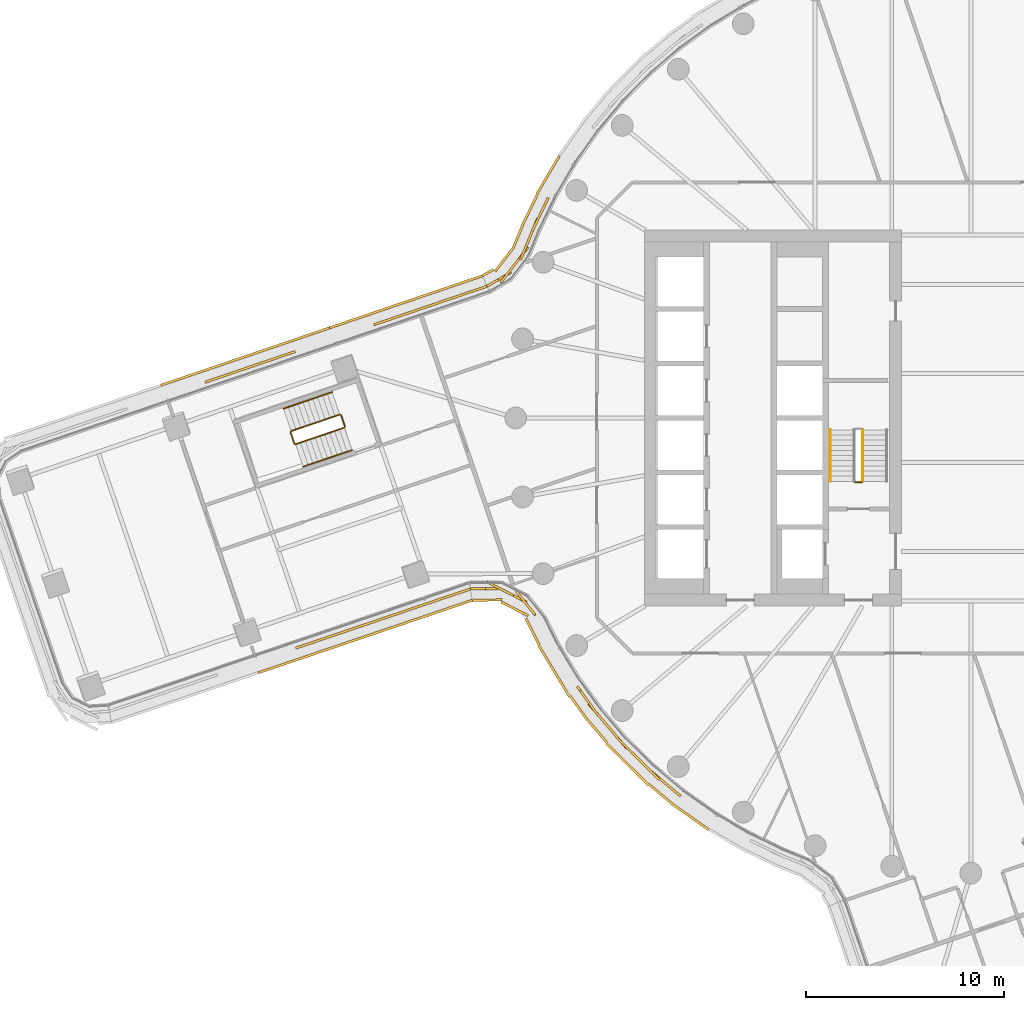
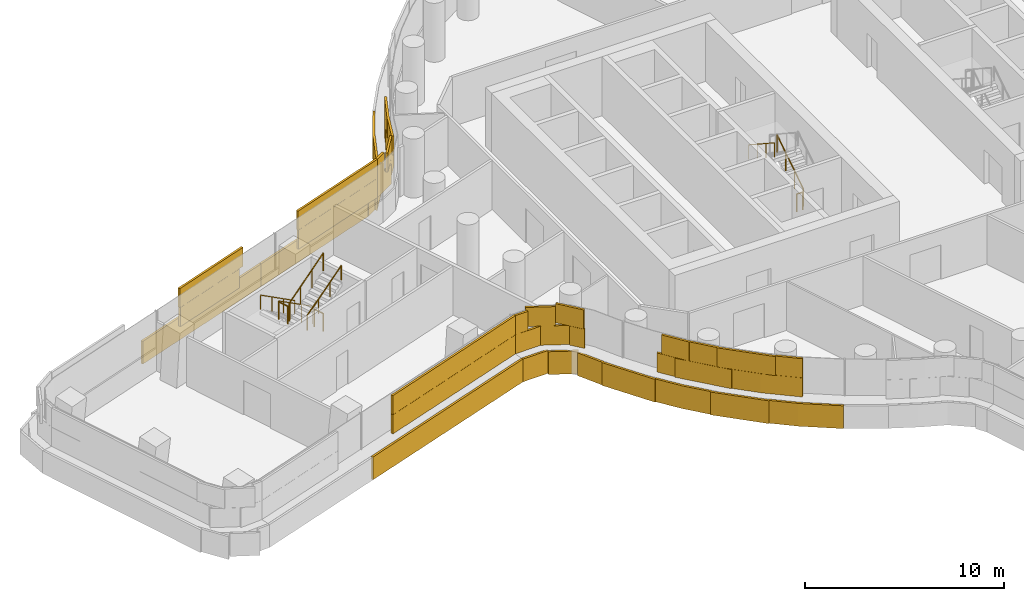
# One storey, part 25 of 29: 9 railings, 5 coverings.
"""IFC4 building model written with IfcOpenShell, lengths in metres."""

import ifcopenshell
import ifcopenshell.guid

model = None  # the IFC model being written
_history = None  # IfcOwnerHistory: only IFC2X3 demands one
_inside = {}  # id of a spatial element -> (the spatial element, [elements in it])
_under = {}  # id of a project, library or spatial element -> (it, [spatial elements below it])
_declared = {}  # id of a project -> (the project, [libraries it declares])
_typed = {}  # id of a type object -> (the type object, [elements of that type])
_made_of = {}  # id of a material, layer set ... -> (it, [elements and type objects made of it])


def new_model(schema):
    """Start an empty IFC model of exactly this schema.

    Asked for "IFC4X3", IfcOpenShell would pick the latest addendum, in which some entities
    have other attributes; the version numbers below select the first issue.
    IFC2X3 requires an IfcOwnerHistory on every rooted entity: one is made here for all.
    """
    global model, _history
    if schema == "IFC4X3":
        model = ifcopenshell.file(schema_version=(4, 3, 0, 0))
    else:
        model = ifcopenshell.file(schema=schema)
    _inside.clear()
    _under.clear()
    _declared.clear()
    _typed.clear()
    _made_of.clear()
    _history = None
    if model.schema == "IFC2X3":
        org = make("IfcOrganization", Name="unknown")
        user = make(
            "IfcPersonAndOrganization",
            ThePerson=make("IfcPerson", FamilyName="unknown"),
            TheOrganization=org,
        )
        app = make(
            "IfcApplication",
            ApplicationDeveloper=org,
            Version="unknown",
            ApplicationFullName="unknown",
            ApplicationIdentifier="unknown",
        )
        _history = make(
            "IfcOwnerHistory",
            OwningUser=user,
            OwningApplication=app,
            ChangeAction="ADDED",
            CreationDate=0,
        )
    return model


def make(cls, **values):
    """One entity of the class cls with the attributes given. An attribute that is None is left unset."""
    return model.create_entity(
        cls, **{name: value for name, value in values.items() if value is not None}
    )


def rooted(cls, **values):
    """An entity with a GlobalId (a new one), such as an element, a storey or a relation."""
    return make(cls, GlobalId=ifcopenshell.guid.new(), OwnerHistory=_history, **values)


def si_unit(unit_type, name, prefix=None):
    """IfcSIUnit, for example si_unit("LENGTHUNIT", "METRE", prefix="MILLI")."""
    return make("IfcSIUnit", UnitType=unit_type, Prefix=prefix, Name=name)


def assignment(units):
    """IfcUnitAssignment: the units of a project."""
    return None if units is None else make("IfcUnitAssignment", Units=units)


def point(xyz):
    """IfcCartesianPoint."""
    return None if xyz is None else make("IfcCartesianPoint", Coordinates=xyz)


def direction(xyz):
    """IfcDirection."""
    return None if xyz is None else make("IfcDirection", DirectionRatios=xyz)


def frame(location, z_axis=None, x_axis=None):
    """IfcAxis2Placement3D, a coordinate frame: its origin and axes. An axis left out is left unset."""
    return make(
        "IfcAxis2Placement3D",
        Location=point(location),
        Axis=direction(z_axis),
        RefDirection=direction(x_axis),
    )


def frame_2d(location, x_axis=None):
    """IfcAxis2Placement2D, a coordinate frame in the plane: its origin and x axis."""
    return make(
        "IfcAxis2Placement2D", Location=point(location), RefDirection=direction(x_axis)
    )


def origin():
    """The frame at (0, 0, 0) with its axes left unset."""
    return frame((0.0, 0.0, 0.0))


def origin_2d():
    """The frame at (0, 0) in the plane with its x axis left unset."""
    return frame_2d((0.0, 0.0))


def place(relative_to, where):
    """IfcLocalPlacement: puts the frame where relative to a parent placement (None: the world)."""
    return make(
        "IfcLocalPlacement", PlacementRelTo=relative_to, RelativePlacement=where
    )


def context(
    kind, dimensions, precision=None, world=None, true_north=None, identifier=None
):
    """IfcGeometricRepresentationContext, for example the 3D "Model" context."""
    return make(
        "IfcGeometricRepresentationContext",
        ContextIdentifier=identifier,
        ContextType=kind,
        CoordinateSpaceDimension=dimensions,
        Precision=precision,
        WorldCoordinateSystem=world,
        TrueNorth=true_north,
    )


def subcontext(parent, identifier, kind, view, scale=None):
    """IfcGeometricRepresentationSubContext, for example "Body" below "Model"."""
    return make(
        "IfcGeometricRepresentationSubContext",
        ContextIdentifier=identifier,
        ContextType=kind,
        ParentContext=parent,
        TargetScale=scale,
        TargetView=view,
    )


def project(units=None, contexts=None):
    """IfcProject with its units and contexts."""
    return rooted(
        "IfcProject",
        Name="project",
        RepresentationContexts=contexts,
        UnitsInContext=assignment(units),
    )


def spatial(cls, under=None, at=None, **own):
    """A site, building, storey or space (cls), placed at a placement, below another one or the project."""
    s = rooted(cls, ObjectPlacement=at, **own)
    if under is not None:
        _under.setdefault(under.id(), (under, []))[1].append(s)
    return s


def profile(cls, at=None, kind="AREA", **sizes):
    """A parametric profile (cls). Its sizes go by their IFC names, for example OverallWidth=200.0."""
    return make(cls, ProfileType=kind, Position=at, **sizes)


def rectangle(**sizes):
    """IfcRectangleProfileDef."""
    return profile("IfcRectangleProfileDef", **sizes)


def circle(**sizes):
    """IfcCircleProfileDef."""
    return profile("IfcCircleProfileDef", **sizes)


def extrude(swept, where, along, depth):
    """IfcExtrudedAreaSolid: the profile swept, set in the frame where, extruded along a direction by depth."""
    return make(
        "IfcExtrudedAreaSolid",
        SweptArea=swept,
        Position=where,
        ExtrudedDirection=direction(along),
        Depth=depth,
    )


def shape(context_of_items, identifier, shape_type, items):
    """IfcShapeRepresentation: the items that make up one representation, for example the "Body"."""
    return make(
        "IfcShapeRepresentation",
        ContextOfItems=context_of_items,
        RepresentationIdentifier=identifier,
        RepresentationType=shape_type,
        Items=items,
    )


def material(Name=None, Category=None):
    """IfcMaterial."""
    return make("IfcMaterial", Name=Name, Category=Category)


def layer(
    of_material, thickness, ventilated=None, Name=None, Category=None, Priority=None
):
    """IfcMaterialLayer: one layer of a wall or slab, of a material (None: an air gap)."""
    return make(
        "IfcMaterialLayer",
        Material=of_material,
        LayerThickness=thickness,
        IsVentilated=ventilated,
        Name=Name,
        Category=Category,
        Priority=Priority,
    )


def layer_set(layers, Name=None):
    """IfcMaterialLayerSet."""
    return make("IfcMaterialLayerSet", MaterialLayers=layers, LayerSetName=Name)


def made_of(thing, what):
    """Note that an element or type object is made of a material, layer set ...; save() writes the relation."""
    if what is not None:
        _made_of.setdefault(what.id(), (what, []))[1].append(thing)
    return thing


def type_object(cls, material=None, **own):
    """A type object (cls), such as IfcWallType, which elements share."""
    return made_of(rooted(cls, **own), material)


def element(
    cls,
    number,
    at=None,
    inside=None,
    cuts=None,
    type_object=None,
    material=None,
    context=None,
    identifier="Body",
    shape_type=None,
    held_by="IfcProductDefinitionShape",
    body=None,
    shapes=None,
    **own,
):
    """One element of the class cls, such as IfcWall. Its Tag is "e" and its number.

    at: its placement. inside: the storey or other place that contains it. cuts: it is an
    opening in that element (IfcRelVoidsElement). A single representation is given by context,
    identifier, shape_type and body (its items); several are given by shapes. held_by: the class
    of the entity that holds the representations. save() writes the other relations.
    """
    e = rooted(cls, Tag="e%d" % number, ObjectPlacement=at, **own)
    if body is not None:
        shapes = [shape(context, identifier, shape_type, body)]
    if shapes is not None:
        e.Representation = make(held_by, Representations=shapes)
    if inside is not None:
        _inside.setdefault(inside.id(), (inside, []))[1].append(e)
    if cuts is not None:
        rooted(
            "IfcRelVoidsElement", RelatingBuildingElement=cuts, RelatedOpeningElement=e
        )
    if type_object is not None:
        _typed.setdefault(type_object.id(), (type_object, []))[1].append(e)
    return made_of(e, material)


def aggregate(whole, parts):
    """IfcRelAggregates: a whole, such as a stair, and the parts it consists of."""
    return rooted("IfcRelAggregates", RelatingObject=whole, RelatedObjects=parts)


def save(model, path):
    """Write the relations noted so far, then the file.

    IfcRelAggregates (storeys below a building ...), IfcRelContainedInSpatialStructure (elements
    in a storey), IfcRelDefinesByType, IfcRelAssociatesMaterial and IfcRelDeclares: one each for
    every whole, place, type object, material and project.
    """
    for whole, parts in _under.values():
        aggregate(whole, parts)
    for where, things in _inside.values():
        rooted(
            "IfcRelContainedInSpatialStructure",
            RelatedElements=things,
            RelatingStructure=where,
        )
    for kind, things in _typed.values():
        rooted("IfcRelDefinesByType", RelatedObjects=things, RelatingType=kind)
    for what, things in _made_of.values():
        rooted("IfcRelAssociatesMaterial", RelatedObjects=things, RelatingMaterial=what)
    for by, libraries in _declared.values():
        rooted("IfcRelDeclares", RelatingContext=by, RelatedDefinitions=libraries)
    model.write(path)


model = new_model("IFC4")

# Units and contexts
model_context = context("Model", 3, precision=1e-05, world=origin(), true_north=direction((0.0, 1.0)))
body_context = subcontext(model_context, "Body", "Model", "MODEL_VIEW")
ifc_project = project(units=[si_unit("LENGTHUNIT", "METRE"), si_unit("AREAUNIT", "SQUARE_METRE"), si_unit("VOLUMEUNIT", "CUBIC_METRE"), si_unit("PLANEANGLEUNIT", "RADIAN"), si_unit("MASSUNIT", "GRAM", prefix="KILO")], contexts=[model_context])

# Site, building, storey
site_placement = place(None, origin())
site = spatial("IfcSite", under=ifc_project, at=site_placement, CompositionType="ELEMENT")
building_placement = place(site_placement, origin())
building = spatial("IfcBuilding", under=site, at=building_placement, Name="Tamarind Cross Interchange Tower", CompositionType="ELEMENT")
storey_placement = place(building_placement, frame((0.0, 0.0, 102.25)))
storey = spatial("IfcBuildingStorey", under=building, at=storey_placement, Name="L24", CompositionType="ELEMENT", Elevation=102.25)

# Railings
ifc_material_1 = material(Name="Stair guard")
railing_type_1 = type_object("IfcRailingType", Name="Stair guard", PredefinedType="GUARDRAIL", material=ifc_material_1)
railing_1_placement = place(storey_placement, frame((-5.449951171875, -3.199951171875, 0.17041015625)))
element("IfcRailing", 1, at=railing_1_placement, inside=storey, type_object=railing_type_1, Name="L24 ST1 stair guard 1", PredefinedType="GUARDRAIL", context=body_context, shape_type="SweptSolid", body=[
    extrude(circle(Radius=0.02392578125, at=origin_2d()), frame((0.0, 0.0, 1.076171875), z_axis=(0.0, 0.836278606002, 0.548304744775), x_axis=(-1.0, 0.0, 0.0)), (0.0, 0.0, 1.0), 3.10888671875),
    extrude(circle(Radius=0.02099609375, at=origin_2d()), origin(), (0.0, 0.0, 1.0), 1.052001953125),
    extrude(circle(Radius=0.02099609375, at=origin_2d()), frame((0.0, 0.86669921875, 0.568115234375)), (0.0, 0.0, 1.0), 1.052001953125),
    extrude(circle(Radius=0.02099609375, at=origin_2d()), frame((0.0, 1.733154296875, 1.136474609375)), (0.0, 0.0, 1.0), 1.052001953125),
    extrude(circle(Radius=0.02099609375, at=origin_2d()), frame((0.0, 2.599853515625, 1.70458984375)), (0.0, 0.0, 1.0), 1.052001953125),
])
railing_2_placement = place(storey_placement, frame((-5.5, -3.25, 0.0)))
element("IfcRailing", 2, at=railing_2_placement, inside=storey, type_object=railing_type_1, Name="L24 ST1 stair guard 4", PredefinedType="GUARDRAIL", context=body_context, shape_type="SweptSolid", body=[
    extrude(circle(Radius=0.02392578125, at=origin_2d()), frame((0.0, 0.0, 1.076171875), z_axis=(-1.0, 0.0, 0.0), x_axis=(0.0, -1.0, 0.0)), (0.0, 0.0, 1.0), 0.35009765625),
    extrude(circle(Radius=0.02099609375, at=origin_2d()), origin(), (0.0, 0.0, 1.0), 1.052001953125),
    extrude(circle(Radius=0.02099609375, at=origin_2d()), frame((-0.35009765625, 0.0, 0.0)), (0.0, 0.0, 1.0), 1.052001953125),
])
railing_3_placement = place(storey_placement, frame((-31.883544921875, 0.173095703125, 0.17041015625)))
element("IfcRailing", 3, at=railing_3_placement, inside=storey, type_object=railing_type_1, Name="L24 ST5 stair guard 1", PredefinedType="GUARDRAIL", context=body_context, shape_type="SweptSolid", body=[
    extrude(circle(Radius=0.02392578125, at=origin_2d()), frame((0.0, 0.0, 1.076171875), z_axis=(-0.791646408968, -0.269588544984, 0.548286402878), x_axis=(0.322362268348, -0.946616378448, 0.0)), (0.0, 0.0, 1.0), 3.10888671875),
    extrude(circle(Radius=0.02099609375, at=origin_2d()), origin(), (0.0, 0.0, 1.0), 1.052001953125),
    extrude(circle(Radius=0.02099609375, at=origin_2d()), frame((-0.8203125, -0.279296875, 0.568115234375)), (0.0, 0.0, 1.0), 1.052001953125),
    extrude(circle(Radius=0.02099609375, at=origin_2d()), frame((-1.640869140625, -0.558837890625, 1.136474609375)), (0.0, 0.0, 1.0), 1.052001953125),
    extrude(circle(Radius=0.02099609375, at=origin_2d()), frame((-2.461181640625, -0.838134765625, 1.70458984375)), (0.0, 0.0, 1.0), 1.052001953125),
])
railing_4_placement = place(storey_placement, frame((-34.375732421875, -0.728515625, 1.875)))
element("IfcRailing", 4, at=railing_4_placement, inside=storey, type_object=railing_type_1, Name="L24 ST5 stair guard 2", PredefinedType="GUARDRAIL", context=body_context, shape_type="SweptSolid", body=[
    extrude(circle(Radius=0.02392578125, at=origin_2d()), frame((0.0, 0.0, 1.076171875), z_axis=(0.322325875568, -0.946628770923, 0.0), x_axis=(0.946628770923, 0.322325875568, 0.0)), (0.0, 0.0, 1.0), 0.599853515625),
    extrude(circle(Radius=0.02099609375, at=origin_2d()), origin(), (0.0, 0.0, 1.0), 1.052001953125),
    extrude(circle(Radius=0.02099609375, at=origin_2d()), frame((0.193359375, -0.56787109375, 0.0)), (0.0, 0.0, 1.0), 1.052001953125),
])
railing_5_placement = place(storey_placement, frame((-34.118896484375, -1.32763671875, 2.04541015625)))
element("IfcRailing", 5, at=railing_5_placement, inside=storey, type_object=railing_type_1, Name="L24 ST5 stair guard 3", PredefinedType="GUARDRAIL", context=body_context, shape_type="SweptSolid", body=[
    extrude(circle(Radius=0.02392578125, at=origin_2d()), frame((0.0, 0.0, 1.076171875), z_axis=(0.791646408968, 0.269588544984, 0.548286402878), x_axis=(-0.322362268348, 0.946616378448, 0.0)), (0.0, 0.0, 1.0), 3.10888671875),
    extrude(circle(Radius=0.02099609375, at=origin_2d()), origin(), (0.0, 0.0, 1.0), 1.052001953125),
    extrude(circle(Radius=0.02099609375, at=origin_2d()), frame((0.8203125, 0.279296875, 0.568115234375)), (0.0, 0.0, 1.0), 1.052001953125),
    extrude(circle(Radius=0.02099609375, at=origin_2d()), frame((1.640869140625, 0.558837890625, 1.136474609375)), (0.0, 0.0, 1.0), 1.052001953125),
    extrude(circle(Radius=0.02099609375, at=origin_2d()), frame((2.461181640625, 0.838134765625, 1.70458984375)), (0.0, 0.0, 1.0), 1.052001953125),
])
railing_6_placement = place(storey_placement, frame((-31.820068359375, 0.141845703125, 0.0)))
element("IfcRailing", 6, at=railing_6_placement, inside=storey, type_object=railing_type_1, Name="L24 ST5 stair guard 4", PredefinedType="GUARDRAIL", context=body_context, shape_type="SweptSolid", body=[
    extrude(circle(Radius=0.02392578125, at=origin_2d()), frame((0.0, 0.0, 1.076171875), z_axis=(0.32269049844, -0.946504538931, 0.0), x_axis=(0.946504538931, 0.32269049844, 0.0)), (0.0, 0.0, 1.0), 0.599853515625),
    extrude(circle(Radius=0.02099609375, at=origin_2d()), origin(), (0.0, 0.0, 1.0), 1.052001953125),
    extrude(circle(Radius=0.02099609375, at=origin_2d()), frame((0.193603515625, -0.56787109375, 0.0)), (0.0, 0.0, 1.0), 1.052001953125),
])
ifc_material_2 = material(Name="Stair handrail")
railing_type_2 = type_object("IfcRailingType", Name="Stair handrail", PredefinedType="HANDRAIL", material=ifc_material_2)
railing_7_placement = place(storey_placement, frame((-7.10009765625, -0.60009765625, 2.04541015625)))
element("IfcRailing", 7, at=railing_7_placement, inside=storey, type_object=railing_type_2, Name="L24 ST1 stair handrail 2", PredefinedType="HANDRAIL", context=body_context, shape_type="SweptSolid", body=[
    extrude(circle(Radius=0.02392578125, at=origin_2d()), frame((0.0, 0.0, 0.8759765625), z_axis=(0.0, -0.836278606002, 0.548304744775), x_axis=(1.0, 0.0, 0.0)), (0.0, 0.0, 1.0), 3.10888671875),
    extrude(circle(Radius=0.02099609375, at=origin_2d()), origin(), (0.0, 0.0, 1.0), 0.851806640625),
    extrude(circle(Radius=0.02099609375, at=origin_2d()), frame((0.0, -0.86669921875, 0.568115234375)), (0.0, 0.0, 1.0), 0.851806640625),
    extrude(circle(Radius=0.02099609375, at=origin_2d()), frame((0.0, -1.733154296875, 1.136474609375)), (0.0, 0.0, 1.0), 0.851806640625),
    extrude(circle(Radius=0.02099609375, at=origin_2d()), frame((0.0, -2.599853515625, 1.70458984375)), (0.0, 0.0, 1.0), 0.851806640625),
])
railing_8_placement = place(storey_placement, frame((-32.270263671875, 1.30908203125, 0.17041015625)))
element("IfcRailing", 8, at=railing_8_placement, inside=storey, type_object=railing_type_2, Name="L24 ST5 stair handrail 1", PredefinedType="HANDRAIL", context=body_context, shape_type="SweptSolid", body=[
    extrude(circle(Radius=0.02392578125, at=origin_2d()), frame((0.0, 0.0, 0.8759765625), z_axis=(-0.791646408968, -0.269588544984, 0.548286402878), x_axis=(0.322362268348, -0.946616378448, 0.0)), (0.0, 0.0, 1.0), 3.10888671875),
    extrude(circle(Radius=0.02099609375, at=origin_2d()), origin(), (0.0, 0.0, 1.0), 0.851806640625),
    extrude(circle(Radius=0.02099609375, at=origin_2d()), frame((-0.8203125, -0.279296875, 0.568115234375)), (0.0, 0.0, 1.0), 0.851806640625),
    extrude(circle(Radius=0.02099609375, at=origin_2d()), frame((-1.640869140625, -0.558837890625, 1.136474609375)), (0.0, 0.0, 1.0), 0.851806640625),
    extrude(circle(Radius=0.02099609375, at=origin_2d()), frame((-2.461181640625, -0.838134765625, 1.70458984375)), (0.0, 0.0, 1.0), 0.851806640625),
])
railing_9_placement = place(storey_placement, frame((-33.732177734375, -2.463623046875, 2.04541015625)))
element("IfcRailing", 9, at=railing_9_placement, inside=storey, type_object=railing_type_2, Name="L24 ST5 stair handrail 2", PredefinedType="HANDRAIL", context=body_context, shape_type="SweptSolid", body=[
    extrude(circle(Radius=0.02392578125, at=origin_2d()), frame((0.0, 0.0, 0.8759765625), z_axis=(0.791646408968, 0.269588544984, 0.548286402878), x_axis=(-0.322362268348, 0.946616378448, 0.0)), (0.0, 0.0, 1.0), 3.10888671875),
    extrude(circle(Radius=0.02099609375, at=origin_2d()), origin(), (0.0, 0.0, 1.0), 0.851806640625),
    extrude(circle(Radius=0.02099609375, at=origin_2d()), frame((0.8203125, 0.279296875, 0.568115234375)), (0.0, 0.0, 1.0), 0.851806640625),
    extrude(circle(Radius=0.02099609375, at=origin_2d()), frame((1.640869140625, 0.558837890625, 1.136474609375)), (0.0, 0.0, 1.0), 0.851806640625),
    extrude(circle(Radius=0.02099609375, at=origin_2d()), frame((2.461181640625, 0.838134765625, 1.70458984375)), (0.0, 0.0, 1.0), 0.851806640625),
])

# Coverings
ifc_material_3 = material(Name="Terracotta", Category="masonry")
ifc_layer = layer(ifc_material_3, 0.1201171875)
ifc_layer_set = layer_set([ifc_layer], Name="Terracotta")
covering_type = type_object("IfcCoveringType", Name="Terracotta baguette screen unit", PredefinedType="MOLDING", material=ifc_layer_set)
covering_1_placement = place(storey_placement, origin())
element("IfcCovering", 10, at=covering_1_placement, inside=storey, type_object=covering_type, Name="SCR-L24-01-01", PredefinedType="MOLDING", context=body_context, shape_type="SweptSolid", body=[
    extrude(rectangle(XDim=0.5634765625, YDim=0.1201171875, at=origin_2d()), frame((-33.848388671875, -11.541015625, 1.404052734375), z_axis=(0.0, 0.0, 1.0), x_axis=(0.947092988773, 0.320959297445, 0.0)), (0.0, 0.0, 1.0), 1.1669921875),
    extrude(rectangle(XDim=1.52001953125, YDim=0.1201171875, at=origin_2d()), frame((-32.8759765625, -11.21142578125, 1.404052734375), z_axis=(0.0, 0.0, 1.0), x_axis=(0.947092988773, 0.320959297445, 0.0)), (0.0, 0.0, 1.0), 1.1669921875),
    extrude(rectangle(XDim=1.52001953125, YDim=0.1201171875, at=origin_2d()), frame((-31.455322265625, -10.72998046875, 1.404052734375), z_axis=(0.0, 0.0, 1.0), x_axis=(0.947092988773, 0.320959297445, 0.0)), (0.0, 0.0, 1.0), 1.1669921875),
    extrude(rectangle(XDim=1.52001953125, YDim=0.1201171875, at=origin_2d()), frame((-30.03466796875, -10.24853515625, 1.404052734375), z_axis=(0.0, 0.0, 1.0), x_axis=(0.947092988773, 0.320959297445, 0.0)), (0.0, 0.0, 1.0), 1.1669921875),
    extrude(rectangle(XDim=1.52001953125, YDim=0.1201171875, at=origin_2d()), frame((-28.614013671875, -9.76708984375, 1.404052734375), z_axis=(0.0, 0.0, 1.0), x_axis=(0.947092988773, 0.320959297445, 0.0)), (0.0, 0.0, 1.0), 1.1669921875),
    extrude(rectangle(XDim=1.52001953125, YDim=0.1201171875, at=origin_2d()), frame((-27.193359375, -9.28564453125, 1.404052734375), z_axis=(0.0, 0.0, 1.0), x_axis=(0.947092988773, 0.320959297445, 0.0)), (0.0, 0.0, 1.0), 1.1669921875),
    extrude(rectangle(XDim=1.270751953125, YDim=0.1201171875, at=origin_2d()), frame((-25.885986328125, -8.842529296875, 1.404052734375), z_axis=(0.0, 0.0, 1.0), x_axis=(0.947092988773, 0.320959297445, 0.0)), (0.0, 0.0, 1.0), 1.1669921875),
    extrude(rectangle(XDim=1.3134765625, YDim=0.1201171875, at=origin_2d()), frame((-33.4931640625, -11.420654296875, 2.5791015625), z_axis=(0.0, 0.0, 1.0), x_axis=(0.947092988773, 0.320959297445, 0.0)), (0.0, 0.0, 1.0), 1.1669921875),
    extrude(rectangle(XDim=1.52001953125, YDim=0.1201171875, at=origin_2d()), frame((-32.16552734375, -10.970703125, 2.5791015625), z_axis=(0.0, 0.0, 1.0), x_axis=(0.947092988773, 0.320959297445, 0.0)), (0.0, 0.0, 1.0), 1.1669921875),
    extrude(rectangle(XDim=1.52001953125, YDim=0.1201171875, at=origin_2d()), frame((-30.744873046875, -10.4892578125, 2.5791015625), z_axis=(0.0, 0.0, 1.0), x_axis=(0.947092988773, 0.320959297445, 0.0)), (0.0, 0.0, 1.0), 1.1669921875),
    extrude(rectangle(XDim=1.52001953125, YDim=0.1201171875, at=origin_2d()), frame((-29.32421875, -10.0078125, 2.5791015625), z_axis=(0.0, 0.0, 1.0), x_axis=(0.947092988773, 0.320959297445, 0.0)), (0.0, 0.0, 1.0), 1.1669921875),
    extrude(rectangle(XDim=1.52001953125, YDim=0.1201171875, at=origin_2d()), frame((-27.903564453125, -9.5263671875, 2.5791015625), z_axis=(0.0, 0.0, 1.0), x_axis=(0.947092988773, 0.320959297445, 0.0)), (0.0, 0.0, 1.0), 1.1669921875),
    extrude(rectangle(XDim=1.52001953125, YDim=0.1201171875, at=origin_2d()), frame((-26.48291015625, -9.044921875, 2.5791015625), z_axis=(0.0, 0.0, 1.0), x_axis=(0.947092988773, 0.320959297445, 0.0)), (0.0, 0.0, 1.0), 1.1669921875),
    extrude(rectangle(XDim=0.520751953125, YDim=0.1201171875, at=origin_2d()), frame((-25.53076171875, -8.72216796875, 2.5791015625), z_axis=(0.0, 0.0, 1.0), x_axis=(0.947092988773, 0.320959297445, 0.0)), (0.0, 0.0, 1.0), 1.1669921875),
    extrude(rectangle(XDim=1.169677734375, YDim=0.1201171875, at=origin_2d()), frame((-35.438232421875, -12.685791015625, 0.00390625), z_axis=(0.0, 0.0, 1.0), x_axis=(0.947092988773, 0.320959297445, 0.0)), (0.0, 0.0, 1.0), 1.39208984375),
    extrude(rectangle(XDim=1.52001953125, YDim=0.1201171875, at=origin_2d()), frame((-34.183349609375, -12.260498046875, 0.00390625), z_axis=(0.0, 0.0, 1.0), x_axis=(0.947092988773, 0.320959297445, 0.0)), (0.0, 0.0, 1.0), 1.39208984375),
    extrude(rectangle(XDim=1.52001953125, YDim=0.1201171875, at=origin_2d()), frame((-32.7626953125, -11.779052734375, 0.00390625), z_axis=(0.0, 0.0, 1.0), x_axis=(0.947092988773, 0.320959297445, 0.0)), (0.0, 0.0, 1.0), 1.39208984375),
    extrude(rectangle(XDim=1.52001953125, YDim=0.1201171875, at=origin_2d()), frame((-31.342041015625, -11.297607421875, 0.00390625), z_axis=(0.0, 0.0, 1.0), x_axis=(0.947092988773, 0.320959297445, 0.0)), (0.0, 0.0, 1.0), 1.39208984375),
    extrude(rectangle(XDim=1.52001953125, YDim=0.1201171875, at=origin_2d()), frame((-29.92138671875, -10.816162109375, 0.00390625), z_axis=(0.0, 0.0, 1.0), x_axis=(0.947092988773, 0.320959297445, 0.0)), (0.0, 0.0, 1.0), 1.39208984375),
    extrude(rectangle(XDim=1.52001953125, YDim=0.1201171875, at=origin_2d()), frame((-28.5009765625, -10.334716796875, 0.00390625), z_axis=(0.0, 0.0, 1.0), x_axis=(0.947092988773, 0.320959297445, 0.0)), (0.0, 0.0, 1.0), 1.39208984375),
    extrude(rectangle(XDim=1.52001953125, YDim=0.1201171875, at=origin_2d()), frame((-27.080322265625, -9.853271484375, 0.00390625), z_axis=(0.0, 0.0, 1.0), x_axis=(0.947092988773, 0.320959297445, 0.0)), (0.0, 0.0, 1.0), 1.39208984375),
    extrude(rectangle(XDim=1.25537109375, YDim=0.1201171875, at=origin_2d()), frame((-25.784912109375, -9.414306640625, 0.00390625), z_axis=(0.0, 0.0, 1.0), x_axis=(0.947092988773, 0.320959297445, 0.0)), (0.0, 0.0, 1.0), 1.39208984375),
])
covering_2_placement = place(storey_placement, origin())
element("IfcCovering", 11, at=covering_2_placement, inside=storey, type_object=covering_type, Name="SCR-L24-02-00", PredefinedType="MOLDING", context=body_context, shape_type="SweptSolid", body=[
    extrude(rectangle(XDim=1.510009765625, YDim=0.1201171875, at=origin_2d()), frame((-24.5390625, -8.629638671875, 1.404052734375), z_axis=(0.0, 0.0, 1.0), x_axis=(0.999899714633, 0.014161944655, 0.0)), (0.0, 0.0, 1.0), 1.1669921875),
    extrude(rectangle(XDim=1.52001953125, YDim=0.1201171875, at=origin_2d()), frame((-23.12255859375, -8.96484375, 1.404052734375), z_axis=(0.0, 0.0, 1.0), x_axis=(0.889932045566, -0.456093142104, 0.0)), (0.0, 0.0, 1.0), 1.1669921875),
    extrude(rectangle(XDim=0.79638671875, YDim=0.1201171875, at=origin_2d()), frame((-22.247802734375, -9.660888671875, 1.404052734375), z_axis=(0.0, 0.0, 1.0), x_axis=(0.623665820485, -0.781691079877, 0.0)), (0.0, 0.0, 1.0), 1.1669921875),
    extrude(rectangle(XDim=1.0234375, YDim=0.1201171875, at=origin_2d()), frame((-19.58056640625, -13.9912109375, 1.404052734375), z_axis=(0.0, 0.0, 1.0), x_axis=(0.584573890505, -0.811340475102, 0.0)), (0.0, 0.0, 1.0), 1.1669921875),
    extrude(rectangle(XDim=1.52001953125, YDim=0.1201171875, at=origin_2d()), frame((-18.835205078125, -15.00244140625, 1.404052734375), z_axis=(0.0, 0.0, 1.0), x_axis=(0.64957723968, -0.760295606781, 0.0)), (0.0, 0.0, 1.0), 1.1669921875),
    extrude(rectangle(XDim=1.52001953125, YDim=0.1201171875, at=origin_2d()), frame((-17.86083984375, -16.142822265625, 1.404052734375), z_axis=(0.0, 0.0, 1.0), x_axis=(0.64957723968, -0.760295606781, 0.0)), (0.0, 0.0, 1.0), 1.1669921875),
    extrude(rectangle(XDim=1.52001953125, YDim=0.1201171875, at=origin_2d()), frame((-16.815185546875, -17.217041015625, 1.404052734375), z_axis=(0.0, 0.0, 1.0), x_axis=(0.710143317658, -0.704057148523, 0.0)), (0.0, 0.0, 1.0), 1.1669921875),
    extrude(rectangle(XDim=1.52001953125, YDim=0.1201171875, at=origin_2d()), frame((-15.711669921875, -18.2314453125, 1.404052734375), z_axis=(0.0, 0.0, 1.0), x_axis=(0.765858396687, -0.643009266048, 0.0)), (0.0, 0.0, 1.0), 1.1669921875),
    extrude(rectangle(XDim=0.622314453125, YDim=0.1201171875, at=origin_2d()), frame((-14.90283203125, -18.910400390625, 1.404052734375), z_axis=(0.0, 0.0, 1.0), x_axis=(0.765858396687, -0.643009266048, 0.0)), (0.0, 0.0, 1.0), 1.1669921875),
    extrude(rectangle(XDim=0.760009765625, YDim=0.1201171875, at=origin_2d()), frame((-24.9140625, -8.635009765625, 2.5791015625), z_axis=(0.0, 0.0, 1.0), x_axis=(0.999899714633, 0.014161944655, 0.0)), (0.0, 0.0, 1.0), 1.1669921875),
    extrude(rectangle(XDim=1.52001953125, YDim=0.1201171875, at=origin_2d()), frame((-23.7900390625, -8.622802734375, 2.5791015625), z_axis=(0.0, 0.0, 1.0), x_axis=(0.889932045566, -0.456093142104, 0.0)), (0.0, 0.0, 1.0), 1.1669921875),
    extrude(rectangle(XDim=1.52001953125, YDim=0.1201171875, at=origin_2d()), frame((-22.4931640625, -9.353515625, 2.5791015625), z_axis=(0.0, 0.0, 1.0), x_axis=(0.623665820485, -0.781691079877, 0.0)), (0.0, 0.0, 1.0), 1.1669921875),
    extrude(rectangle(XDim=1.52001953125, YDim=0.1201171875, at=origin_2d()), frame((-19.284423828125, -14.40234375, 2.5791015625), z_axis=(0.0, 0.0, 1.0), x_axis=(0.584573890505, -0.811340475102, 0.0)), (0.0, 0.0, 1.0), 1.1669921875),
    extrude(rectangle(XDim=1.52001953125, YDim=0.1201171875, at=origin_2d()), frame((-18.347900390625, -15.572509765625, 2.5791015625), z_axis=(0.0, 0.0, 1.0), x_axis=(0.64957723968, -0.760295606781, 0.0)), (0.0, 0.0, 1.0), 1.1669921875),
    extrude(rectangle(XDim=1.52001953125, YDim=0.1201171875, at=origin_2d()), frame((-17.34765625, -16.68896484375, 2.5791015625), z_axis=(0.0, 0.0, 1.0), x_axis=(0.710143317658, -0.704057148523, 0.0)), (0.0, 0.0, 1.0), 1.1669921875),
    extrude(rectangle(XDim=1.52001953125, YDim=0.1201171875, at=origin_2d()), frame((-16.282470703125, -17.7451171875, 2.5791015625), z_axis=(0.0, 0.0, 1.0), x_axis=(0.710143317658, -0.704057148523, 0.0)), (0.0, 0.0, 1.0), 1.1669921875),
    extrude(rectangle(XDim=1.372314453125, YDim=0.1201171875, at=origin_2d()), frame((-15.190185546875, -18.66943359375, 2.5791015625), z_axis=(0.0, 0.0, 1.0), x_axis=(0.765858396687, -0.643009266048, 0.0)), (0.0, 0.0, 1.0), 1.1669921875),
    extrude(rectangle(XDim=1.510009765625, YDim=0.1201171875, at=origin_2d()), frame((-24.435546875, -9.2021484375, 0.00390625), z_axis=(0.0, 0.0, 1.0), x_axis=(0.999899714633, 0.014161944655, 0.0)), (0.0, 0.0, 1.0), 1.39208984375),
    extrude(rectangle(XDim=1.52001953125, YDim=0.1201171875, at=origin_2d()), frame((-23.049560546875, -9.647216796875, 0.00390625), z_axis=(0.0, 0.0, 1.0), x_axis=(0.889932045566, -0.456093142104, 0.0)), (0.0, 0.0, 1.0), 1.39208984375),
    extrude(rectangle(XDim=1.52001953125, YDim=0.1201171875, at=origin_2d()), frame((-22.13916015625, -10.81884765625, 0.00390625), z_axis=(0.0, 0.0, 1.0), x_axis=(0.444393054967, -0.895831910961, 0.0)), (0.0, 0.0, 1.0), 1.39208984375),
    extrude(rectangle(XDim=1.52001953125, YDim=0.1201171875, at=origin_2d()), frame((-21.4462890625, -12.148193359375, 0.00390625), z_axis=(0.0, 0.0, 1.0), x_axis=(0.515577308909, -0.856843065292, 0.0)), (0.0, 0.0, 1.0), 1.39208984375),
    extrude(rectangle(XDim=1.52001953125, YDim=0.1201171875, at=origin_2d()), frame((-20.6728515625, -13.43359375, 0.00390625), z_axis=(0.0, 0.0, 1.0), x_axis=(0.515577308909, -0.856843065292, 0.0)), (0.0, 0.0, 1.0), 1.39208984375),
    extrude(rectangle(XDim=1.52001953125, YDim=0.1201171875, at=origin_2d()), frame((-19.8076171875, -14.658203125, 0.00390625), z_axis=(0.0, 0.0, 1.0), x_axis=(0.584573890505, -0.811340475102, 0.0)), (0.0, 0.0, 1.0), 1.39208984375),
    extrude(rectangle(XDim=1.52001953125, YDim=0.1201171875, at=origin_2d()), frame((-18.879150390625, -15.83447265625, 0.00390625), z_axis=(0.0, 0.0, 1.0), x_axis=(0.64957723968, -0.760295606781, 0.0)), (0.0, 0.0, 1.0), 1.39208984375),
    extrude(rectangle(XDim=1.52001953125, YDim=0.1201171875, at=origin_2d()), frame((-17.88916015625, -16.960693359375, 0.00390625), z_axis=(0.0, 0.0, 1.0), x_axis=(0.710143317658, -0.704057148523, 0.0)), (0.0, 0.0, 1.0), 1.39208984375),
    extrude(rectangle(XDim=1.52001953125, YDim=0.1201171875, at=origin_2d()), frame((-16.823974609375, -18.0166015625, 0.00390625), z_axis=(0.0, 0.0, 1.0), x_axis=(0.710143317658, -0.704057148523, 0.0)), (0.0, 0.0, 1.0), 1.39208984375),
    extrude(rectangle(XDim=1.52001953125, YDim=0.1201171875, at=origin_2d()), frame((-15.69091796875, -18.998291015625, 0.00390625), z_axis=(0.0, 0.0, 1.0), x_axis=(0.765858396687, -0.643009266048, 0.0)), (0.0, 0.0, 1.0), 1.39208984375),
    extrude(rectangle(XDim=1.52001953125, YDim=0.1201171875, at=origin_2d()), frame((-14.5078125, -19.91845703125, 0.00390625), z_axis=(0.0, 0.0, 1.0), x_axis=(0.816341886298, -0.577568978284, 0.0)), (0.0, 0.0, 1.0), 1.39208984375),
    extrude(rectangle(XDim=0.788330078125, YDim=0.1201171875, at=origin_2d()), frame((-13.58203125, -20.573486328125, 0.00390625), z_axis=(0.0, 0.0, 1.0), x_axis=(0.816341886298, -0.577568978284, 0.0)), (0.0, 0.0, 1.0), 1.39208984375),
])
covering_3_placement = place(storey_placement, origin())
element("IfcCovering", 12, at=covering_3_placement, inside=storey, type_object=covering_type, Name="SCR-L24-14-01", PredefinedType="MOLDING", context=body_context, shape_type="SweptSolid", body=[
    extrude(rectangle(XDim=1.19775390625, YDim=0.1201171875, at=origin_2d()), frame((-21.610595703125, 10.58984375, 1.404052734375), z_axis=(0.0, 0.0, 1.0), x_axis=(-0.435326231914, -0.900272776334, 0.0)), (0.0, 0.0, 1.0), 1.1669921875),
    extrude(rectangle(XDim=1.52001953125, YDim=0.1201171875, at=origin_2d()), frame((-22.18310546875, 9.374267578125, 1.404052734375), z_axis=(0.0, 0.0, 1.0), x_axis=(-0.379338603417, -0.925257922937, 0.0)), (0.0, 0.0, 1.0), 1.1669921875),
    extrude(rectangle(XDim=1.52001953125, YDim=0.1201171875, at=origin_2d()), frame((-22.833740234375, 8.033447265625, 1.404052734375), z_axis=(0.0, 0.0, 1.0), x_axis=(-0.61003032854, -0.792378065232, 0.0)), (0.0, 0.0, 1.0), 1.1669921875),
    extrude(rectangle(XDim=1.421630859375, YDim=0.1201171875, at=origin_2d()), frame((-23.836669921875, 7.0107421875, 1.404052734375), z_axis=(0.0, 0.0, 1.0), x_axis=(-0.864824871878, -0.502073640995, 0.0)), (0.0, 0.0, 1.0), 1.1669921875),
    extrude(rectangle(XDim=0.44775390625, YDim=0.1201171875, at=origin_2d()), frame((-21.447265625, 10.927490234375, 2.5791015625), z_axis=(0.0, 0.0, 1.0), x_axis=(-0.435326231914, -0.900272776334, 0.0)), (0.0, 0.0, 1.0), 1.1669921875),
    extrude(rectangle(XDim=1.52001953125, YDim=0.1201171875, at=origin_2d()), frame((-21.869140625, 10.05517578125, 2.5791015625), z_axis=(0.0, 0.0, 1.0), x_axis=(-0.435326231914, -0.900272776334, 0.0)), (0.0, 0.0, 1.0), 1.1669921875),
    extrude(rectangle(XDim=1.52001953125, YDim=0.1201171875, at=origin_2d()), frame((-22.467529296875, 8.680419921875, 2.5791015625), z_axis=(0.0, 0.0, 1.0), x_axis=(-0.379338603417, -0.925257922937, 0.0)), (0.0, 0.0, 1.0), 1.1669921875),
    extrude(rectangle(XDim=1.52001953125, YDim=0.1201171875, at=origin_2d()), frame((-23.291259765625, 7.439208984375, 2.5791015625), z_axis=(0.0, 0.0, 1.0), x_axis=(-0.61003032854, -0.792378065232, 0.0)), (0.0, 0.0, 1.0), 1.1669921875),
    extrude(rectangle(XDim=0.671630859375, YDim=0.1201171875, at=origin_2d()), frame((-24.160888671875, 6.822509765625, 2.5791015625), z_axis=(0.0, 0.0, 1.0), x_axis=(-0.864824871878, -0.502073640995, 0.0)), (0.0, 0.0, 1.0), 1.1669921875),
    extrude(rectangle(XDim=0.731689453125, YDim=0.1201171875, at=origin_2d()), frame((-20.97509765625, 12.9375, 0.00390625), z_axis=(0.0, 0.0, 1.0), x_axis=(-0.508183308752, -0.861248933065, 0.0)), (0.0, 0.0, 1.0), 1.39208984375),
    extrude(rectangle(XDim=1.52001953125, YDim=0.1201171875, at=origin_2d()), frame((-21.537109375, 11.985107421875, 0.00390625), z_axis=(0.0, 0.0, 1.0), x_axis=(-0.508183308752, -0.861248933065, 0.0)), (0.0, 0.0, 1.0), 1.39208984375),
    extrude(rectangle(XDim=1.52001953125, YDim=0.1201171875, at=origin_2d()), frame((-22.218994140625, 10.650146484375, 0.00390625), z_axis=(0.0, 0.0, 1.0), x_axis=(-0.435326231914, -0.900272776334, 0.0)), (0.0, 0.0, 1.0), 1.39208984375),
    extrude(rectangle(XDim=1.52001953125, YDim=0.1201171875, at=origin_2d()), frame((-22.840087890625, 9.285400390625, 0.00390625), z_axis=(0.0, 0.0, 1.0), x_axis=(-0.379338603417, -0.925257922937, 0.0)), (0.0, 0.0, 1.0), 1.39208984375),
    extrude(rectangle(XDim=1.52001953125, YDim=0.1201171875, at=origin_2d()), frame((-23.584716796875, 7.998779296875, 0.00390625), z_axis=(0.0, 0.0, 1.0), x_axis=(-0.61003032854, -0.792378065232, 0.0)), (0.0, 0.0, 1.0), 1.39208984375),
    extrude(rectangle(XDim=0.65283203125, YDim=0.1201171875, at=origin_2d()), frame((-24.403564453125, 7.345458984375, 0.00390625), z_axis=(0.0, 0.0, 1.0), x_axis=(-0.864824871878, -0.502073640995, 0.0)), (0.0, 0.0, 1.0), 1.39208984375),
])
covering_4_placement = place(storey_placement, origin())
element("IfcCovering", 13, at=covering_4_placement, inside=storey, type_object=covering_type, Name="SCR-L24-15-00", PredefinedType="MOLDING", context=body_context, shape_type="SweptSolid", body=[
    extrude(rectangle(XDim=1.510009765625, YDim=0.1201171875, at=origin_2d()), frame((-25.156982421875, 6.414794921875, 1.404052734375), z_axis=(0.0, 0.0, 1.0), x_axis=(-0.946613256786, -0.322371434957, 0.0)), (0.0, 0.0, 1.0), 1.1669921875),
    extrude(rectangle(XDim=1.52001953125, YDim=0.1201171875, at=origin_2d()), frame((-26.576904296875, 5.93115234375, 1.404052734375), z_axis=(0.0, 0.0, 1.0), x_axis=(-0.946613256786, -0.322371434957, 0.0)), (0.0, 0.0, 1.0), 1.1669921875),
    extrude(rectangle(XDim=1.52001953125, YDim=0.1201171875, at=origin_2d()), frame((-27.996826171875, 5.447509765625, 1.404052734375), z_axis=(0.0, 0.0, 1.0), x_axis=(-0.946613256786, -0.322371434957, 0.0)), (0.0, 0.0, 1.0), 1.1669921875),
    extrude(rectangle(XDim=1.52001953125, YDim=0.1201171875, at=origin_2d()), frame((-29.416748046875, 4.964111328125, 1.404052734375), z_axis=(0.0, 0.0, 1.0), x_axis=(-0.946613256786, -0.322371434957, 0.0)), (0.0, 0.0, 1.0), 1.1669921875),
    extrude(rectangle(XDim=0.760009765625, YDim=0.1201171875, at=origin_2d()), frame((-24.802001953125, 6.53564453125, 2.5791015625), z_axis=(0.0, 0.0, 1.0), x_axis=(-0.946613256786, -0.322371434957, 0.0)), (0.0, 0.0, 1.0), 1.1669921875),
    extrude(rectangle(XDim=1.52001953125, YDim=0.1201171875, at=origin_2d()), frame((-25.866943359375, 6.1728515625, 2.5791015625), z_axis=(0.0, 0.0, 1.0), x_axis=(-0.946613256786, -0.322371434957, 0.0)), (0.0, 0.0, 1.0), 1.1669921875),
    extrude(rectangle(XDim=1.52001953125, YDim=0.1201171875, at=origin_2d()), frame((-27.286865234375, 5.689453125, 2.5791015625), z_axis=(0.0, 0.0, 1.0), x_axis=(-0.946613256786, -0.322371434957, 0.0)), (0.0, 0.0, 1.0), 1.1669921875),
    extrude(rectangle(XDim=1.52001953125, YDim=0.1201171875, at=origin_2d()), frame((-28.706787109375, 5.205810546875, 2.5791015625), z_axis=(0.0, 0.0, 1.0), x_axis=(-0.946613256786, -0.322371434957, 0.0)), (0.0, 0.0, 1.0), 1.1669921875),
    extrude(rectangle(XDim=0.79931640625, YDim=0.1201171875, at=origin_2d()), frame((-29.790283203125, 4.8369140625, 2.5791015625), z_axis=(0.0, 0.0, 1.0), x_axis=(-0.946613256786, -0.322371434957, 0.0)), (0.0, 0.0, 1.0), 1.1669921875),
    extrude(rectangle(XDim=1.510009765625, YDim=0.1201171875, at=origin_2d()), frame((-25.400634765625, 6.938232421875, 0.00390625), z_axis=(0.0, 0.0, 1.0), x_axis=(-0.946613256786, -0.322371434957, 0.0)), (0.0, 0.0, 1.0), 1.39208984375),
    extrude(rectangle(XDim=1.52001953125, YDim=0.1201171875, at=origin_2d()), frame((-26.81591796875, 6.4560546875, 0.00390625), z_axis=(0.0, 0.0, 1.0), x_axis=(-0.946613256786, -0.322371434957, 0.0)), (0.0, 0.0, 1.0), 1.39208984375),
    extrude(rectangle(XDim=1.52001953125, YDim=0.1201171875, at=origin_2d()), frame((-28.23583984375, 5.97265625, 0.00390625), z_axis=(0.0, 0.0, 1.0), x_axis=(-0.946613256786, -0.322371434957, 0.0)), (0.0, 0.0, 1.0), 1.39208984375),
    extrude(rectangle(XDim=1.52001953125, YDim=0.1201171875, at=origin_2d()), frame((-29.65576171875, 5.489013671875, 0.00390625), z_axis=(0.0, 0.0, 1.0), x_axis=(-0.946613256786, -0.322371434957, 0.0)), (0.0, 0.0, 1.0), 1.39208984375),
    extrude(rectangle(XDim=1.52001953125, YDim=0.1201171875, at=origin_2d()), frame((-31.07568359375, 5.005615234375, 0.00390625), z_axis=(0.0, 0.0, 1.0), x_axis=(-0.946613256786, -0.322371434957, 0.0)), (0.0, 0.0, 1.0), 1.39208984375),
    extrude(rectangle(XDim=0.655517578125, YDim=0.1201171875, at=origin_2d()), frame((-32.08642578125, 4.661376953125, 0.00390625), z_axis=(0.0, 0.0, 1.0), x_axis=(-0.946613256786, -0.322371434957, 0.0)), (0.0, 0.0, 1.0), 1.39208984375),
])
covering_5_placement = place(storey_placement, origin())
element("IfcCovering", 14, at=covering_5_placement, inside=storey, type_object=covering_type, Name="SCR-L24-15-01", PredefinedType="MOLDING", context=body_context, shape_type="SweptSolid", body=[
    extrude(rectangle(XDim=1.52001953125, YDim=0.1201171875, at=origin_2d()), frame((-35.096435546875, 3.02978515625, 1.404052734375), z_axis=(0.0, 0.0, 1.0), x_axis=(-0.946613256786, -0.322371434957, 0.0)), (0.0, 0.0, 1.0), 1.1669921875),
    extrude(rectangle(XDim=1.52001953125, YDim=0.1201171875, at=origin_2d()), frame((-36.516357421875, 2.54638671875, 1.404052734375), z_axis=(0.0, 0.0, 1.0), x_axis=(-0.946613256786, -0.322371434957, 0.0)), (0.0, 0.0, 1.0), 1.1669921875),
    extrude(rectangle(XDim=1.52001953125, YDim=0.1201171875, at=origin_2d()), frame((-37.936279296875, 2.062744140625, 1.404052734375), z_axis=(0.0, 0.0, 1.0), x_axis=(-0.946613256786, -0.322371434957, 0.0)), (0.0, 0.0, 1.0), 1.1669921875),
    extrude(rectangle(XDim=1.020751953125, YDim=0.1201171875, at=origin_2d()), frame((-34.6181640625, 3.192626953125, 2.5791015625), z_axis=(0.0, 0.0, 1.0), x_axis=(-0.946613256786, -0.322371434957, 0.0)), (0.0, 0.0, 1.0), 1.1669921875),
    extrude(rectangle(XDim=1.52001953125, YDim=0.1201171875, at=origin_2d()), frame((-35.806396484375, 2.7880859375, 2.5791015625), z_axis=(0.0, 0.0, 1.0), x_axis=(-0.946613256786, -0.322371434957, 0.0)), (0.0, 0.0, 1.0), 1.1669921875),
    extrude(rectangle(XDim=1.52001953125, YDim=0.1201171875, at=origin_2d()), frame((-37.226318359375, 2.304443359375, 2.5791015625), z_axis=(0.0, 0.0, 1.0), x_axis=(-0.946613256786, -0.322371434957, 0.0)), (0.0, 0.0, 1.0), 1.1669921875),
    extrude(rectangle(XDim=0.80029296875, YDim=0.1201171875, at=origin_2d()), frame((-38.310302734375, 1.935302734375, 2.5791015625), z_axis=(0.0, 0.0, 1.0), x_axis=(-0.946613256786, -0.322371434957, 0.0)), (0.0, 0.0, 1.0), 1.1669921875),
    extrude(rectangle(XDim=0.864501953125, YDim=0.1201171875, at=origin_2d()), frame((-32.8056640625, 4.416259765625, 0.00390625), z_axis=(0.0, 0.0, 1.0), x_axis=(-0.946613256786, -0.322371434957, 0.0)), (0.0, 0.0, 1.0), 1.39208984375),
    extrude(rectangle(XDim=1.52001953125, YDim=0.1201171875, at=origin_2d()), frame((-33.91552734375, 4.038330078125, 0.00390625), z_axis=(0.0, 0.0, 1.0), x_axis=(-0.946613256786, -0.322371434957, 0.0)), (0.0, 0.0, 1.0), 1.39208984375),
    extrude(rectangle(XDim=1.52001953125, YDim=0.1201171875, at=origin_2d()), frame((-35.33544921875, 3.554931640625, 0.00390625), z_axis=(0.0, 0.0, 1.0), x_axis=(-0.946613256786, -0.322371434957, 0.0)), (0.0, 0.0, 1.0), 1.39208984375),
    extrude(rectangle(XDim=1.52001953125, YDim=0.1201171875, at=origin_2d()), frame((-36.75537109375, 3.0712890625, 0.00390625), z_axis=(0.0, 0.0, 1.0), x_axis=(-0.946613256786, -0.322371434957, 0.0)), (0.0, 0.0, 1.0), 1.39208984375),
    extrude(rectangle(XDim=1.52001953125, YDim=0.1201171875, at=origin_2d()), frame((-38.17529296875, 2.587646484375, 0.00390625), z_axis=(0.0, 0.0, 1.0), x_axis=(-0.946613256786, -0.322371434957, 0.0)), (0.0, 0.0, 1.0), 1.39208984375),
    extrude(rectangle(XDim=1.52001953125, YDim=0.1201171875, at=origin_2d()), frame((-39.59521484375, 2.104248046875, 0.00390625), z_axis=(0.0, 0.0, 1.0), x_axis=(-0.946613256786, -0.322371434957, 0.0)), (0.0, 0.0, 1.0), 1.39208984375),
    extrude(rectangle(XDim=0.6630859375, YDim=0.1201171875, at=origin_2d()), frame((-40.609619140625, 1.7587890625, 0.00390625), z_axis=(0.0, 0.0, 1.0), x_axis=(-0.946613256786, -0.322371434957, 0.0)), (0.0, 0.0, 1.0), 1.39208984375),
])

save(model, "model.ifc")
